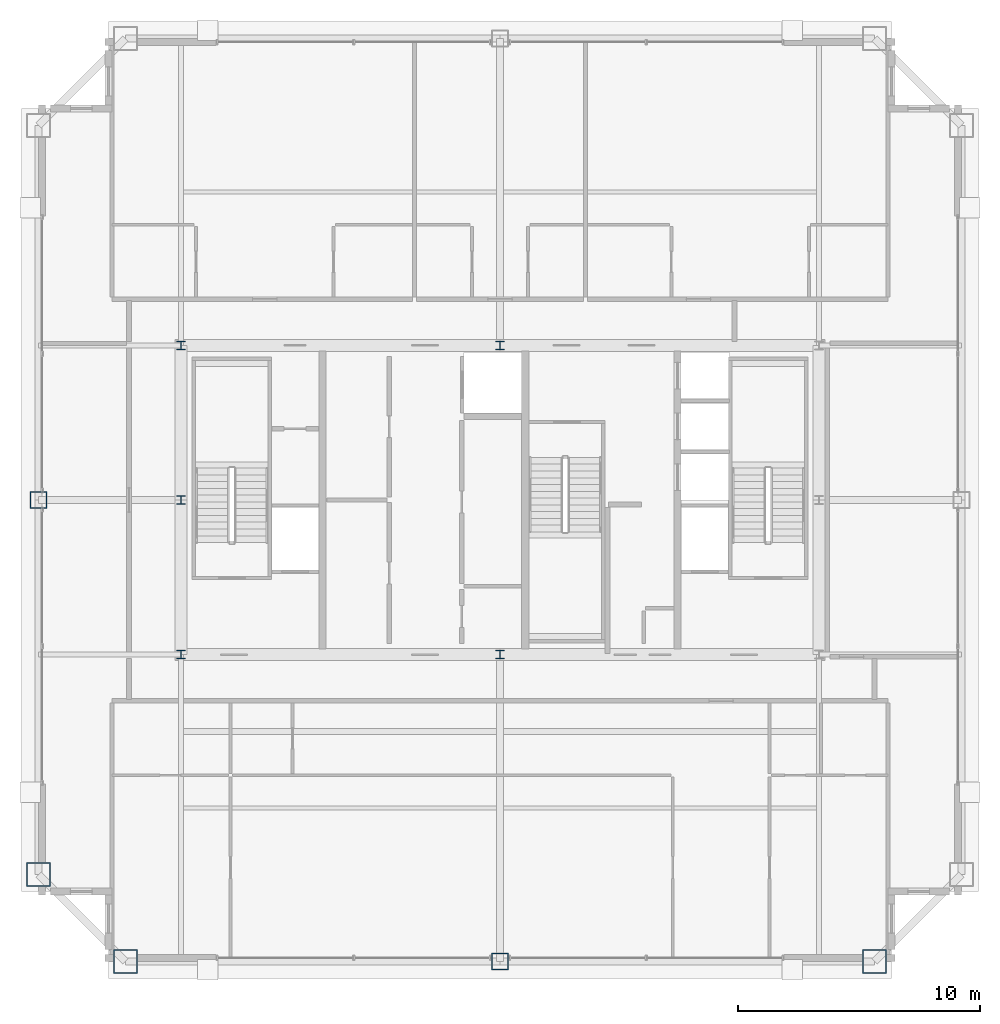
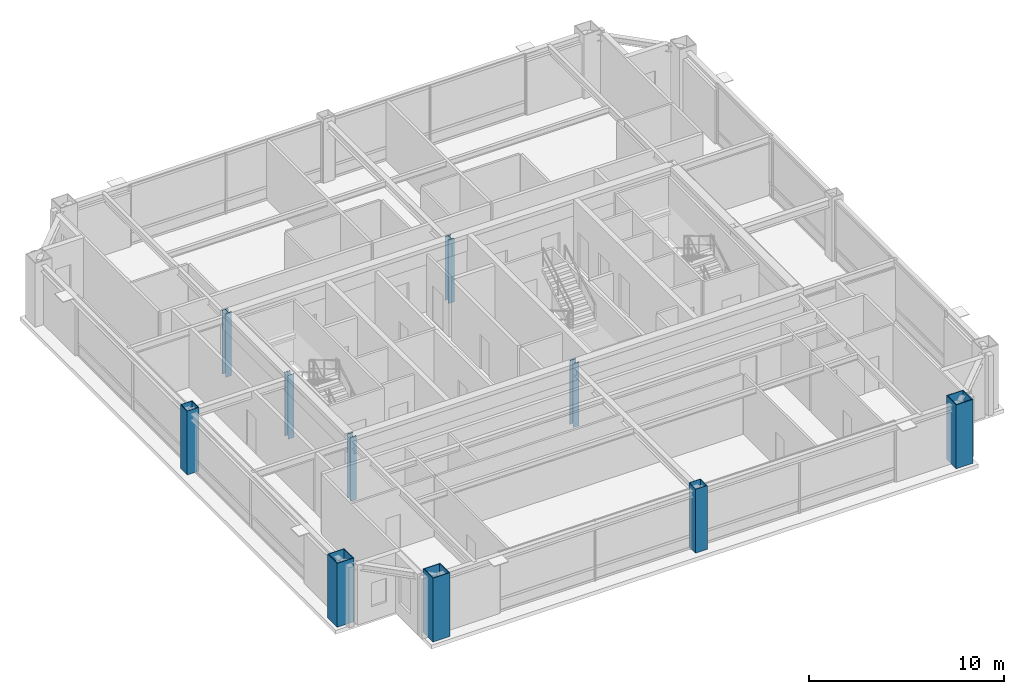
# One storey, part 1 of 34: 10 columns.
"""IFC4 building model written with IfcOpenShell, lengths in metres."""

from ifc_helpers import new_model, si_unit, direction, frame, origin, origin_2d, place, context, subcontext, project, spatial, hollow_rectangle, i_section, extrude, source, transform, mapped, material, material_profile, profile_set, type_object, element, save


model = new_model("IFC4")

# Units and contexts
model_context = context("Model", 3, precision=1e-05, world=origin(), true_north=direction((0.0, 1.0)))
body_context = subcontext(model_context, "Body", "Model", "MODEL_VIEW")
ifc_project = project(units=[si_unit("LENGTHUNIT", "METRE"), si_unit("AREAUNIT", "SQUARE_METRE"), si_unit("VOLUMEUNIT", "CUBIC_METRE"), si_unit("PLANEANGLEUNIT", "RADIAN"), si_unit("MASSUNIT", "GRAM", prefix="KILO"), si_unit("THERMODYNAMICTEMPERATUREUNIT", "KELVIN"), si_unit("POWERUNIT", "WATT")], contexts=[model_context])

# Site, building, storey
site_placement = place(None, origin())
site = spatial("IfcSite", under=ifc_project, at=site_placement, CompositionType="ELEMENT")
building_placement = place(site_placement, origin())
building = spatial("IfcBuilding", under=site, at=building_placement, Name="Yuzanri Waterfront Tower", CompositionType="ELEMENT")
storey_placement = place(building_placement, frame((0.0, 0.0, 339.199951171875)))
storey = spatial("IfcBuildingStorey", under=building, at=storey_placement, Name="L91", CompositionType="ELEMENT", Elevation=339.199951171875)

# Columns
ifc_material_1 = material(Name="Steel Q355B", Category="steel")
ifc_material_profile_1 = material_profile(ifc_material_1, i_section(OverallWidth=0.35009765625, OverallDepth=0.35009765625, WebThickness=0.011962890625, FlangeThickness=0.01904296875, at=origin_2d()), Name="HW 350x350x12x19")
ifc_profile_set_1 = profile_set([ifc_material_profile_1], Name="Steel Q355B")
column_type_1 = type_object("IfcColumnType", Name="Core Post Q355B HW 350x350x12x19", PredefinedType="COLUMN", material=ifc_profile_set_1)
shared_shape_1 = source(origin(), body_context, "Body", "SweptSolid", [
    extrude(i_section(OverallWidth=0.35009765625, OverallDepth=0.35009765625, WebThickness=0.011962890625, FlangeThickness=0.01904296875, at=origin_2d()), origin(), (0.0, 0.0, 1.0), 4.0),
])
for number, where, z_axis, x_axis, name in (
    (1, (23.800048828125, 19.39990234375, 0.0), (0.0, 0.0, 1.0), (1.0, 0.0, 0.0), "L91 Core Boundary Column CP1"),
    (2, (37.0, 19.39990234375, 0.0), (0.0, 0.0, 1.0), (1.0, 0.0, 0.0), "L91 Core Boundary Column CP2"),
    (3, (23.800048828125, 25.800048828125, 0.0), (0.0, 0.0, 1.0), (1.0, 0.0, 0.0), "L91 Core Boundary Column CP4"),
    (4, (23.800048828125, 32.199951171875, 0.0), (0.0, 0.0, 1.0), (1.0, 0.0, 0.0), "L91 Core Boundary Column CP6"),
    (5, (37.0, 32.199951171875, 0.0), (0.0, 0.0, 1.0), (1.0, 0.0, 0.0), "L91 Core Boundary Column CP7"),
):
    element("IfcColumn", number, at=place(storey_placement, frame(where, z_axis=z_axis, x_axis=x_axis)), inside=storey, type_object=column_type_1, Name=name, PredefinedType="COLUMN", context=body_context, shape_type="MappedRepresentation", body=[
        mapped(shared_shape_1, transform((0.0, 0.0, 0.0), scale=1.0)),
    ])
ifc_material_2 = material(Name="Steel Q390GJC", Category="steel")
ifc_material_profile_2 = material_profile(ifc_material_2, hollow_rectangle(XDim=1.0, YDim=1.0, WallThickness=0.048095703125, at=origin_2d()), Name="RHS 1000x1000x48")
ifc_profile_set_2 = profile_set([ifc_material_profile_2], Name="Steel Q390GJC")
column_type_2 = type_object("IfcColumnType", Name="Mega Column Q390GJC RHS 1000x1000x48", PredefinedType="COLUMN", material=ifc_profile_set_2)
shared_shape_2 = source(origin(), body_context, "Body", "SweptSolid", [
    extrude(hollow_rectangle(XDim=1.0, YDim=1.0, WallThickness=0.048095703125, at=origin_2d()), origin(), (0.0, 0.0, 1.0), 4.0),
])
for number, where, z_axis, x_axis, name in (
    (6, (21.5, 6.699951171875, 0.0), (0.0, 0.0, 1.0), (1.0, 0.0, 0.0), "L91 Perimeter Mega Column S1"),
    (7, (52.5, 6.699951171875, 0.0), (0.0, 0.0, 1.0), (1.0, 0.0, 0.0), "L91 Perimeter Mega Column S3"),
    (8, (17.89990234375, 10.300048828125, 0.0), (0.0, 0.0, 1.0), (1.0, 0.0, 0.0), "L91 Perimeter Mega Column W1"),
):
    element("IfcColumn", number, at=place(storey_placement, frame(where, z_axis=z_axis, x_axis=x_axis)), inside=storey, type_object=column_type_2, Name=name, PredefinedType="COLUMN", context=body_context, shape_type="MappedRepresentation", body=[
        mapped(shared_shape_2, transform((0.0, 0.0, 0.0), scale=1.0)),
    ])
ifc_material_3 = material(Name="Steel Q355B", Category="steel")
ifc_material_profile_3 = material_profile(ifc_material_3, hollow_rectangle(XDim=0.699951171875, YDim=0.699951171875, WallThickness=0.031982421875, at=origin_2d()), Name="RHS 700x700x32")
ifc_profile_set_3 = profile_set([ifc_material_profile_3], Name="Steel Q355B")
column_type_3 = type_object("IfcColumnType", Name="Frame Column Q355B RHS 700x700x32", PredefinedType="COLUMN", material=ifc_profile_set_3)
shared_shape_3 = source(origin(), body_context, "Body", "SweptSolid", [
    extrude(hollow_rectangle(XDim=0.699951171875, YDim=0.699951171875, WallThickness=0.031982421875, at=origin_2d()), origin(), (0.0, 0.0, 1.0), 4.0),
])
for number, where, z_axis, x_axis, name in (
    (9, (37.0, 6.699951171875, 0.0), (0.0, 0.0, 1.0), (1.0, 0.0, 0.0), "L91 Perimeter Frame Column S2"),
    (10, (17.89990234375, 25.800048828125, 0.0), (0.0, 0.0, 1.0), (1.0, 0.0, 0.0), "L91 Perimeter Frame Column W2"),
):
    element("IfcColumn", number, at=place(storey_placement, frame(where, z_axis=z_axis, x_axis=x_axis)), inside=storey, type_object=column_type_3, Name=name, PredefinedType="COLUMN", context=body_context, shape_type="MappedRepresentation", body=[
        mapped(shared_shape_3, transform((0.0, 0.0, 0.0), scale=1.0)),
    ])

save(model, "model.ifc")
